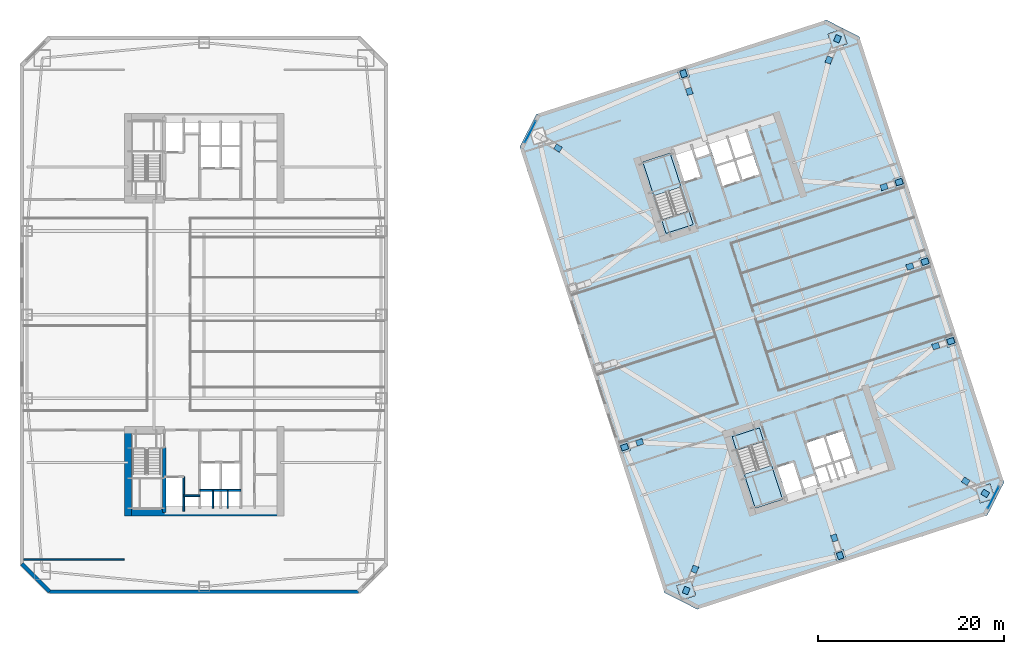
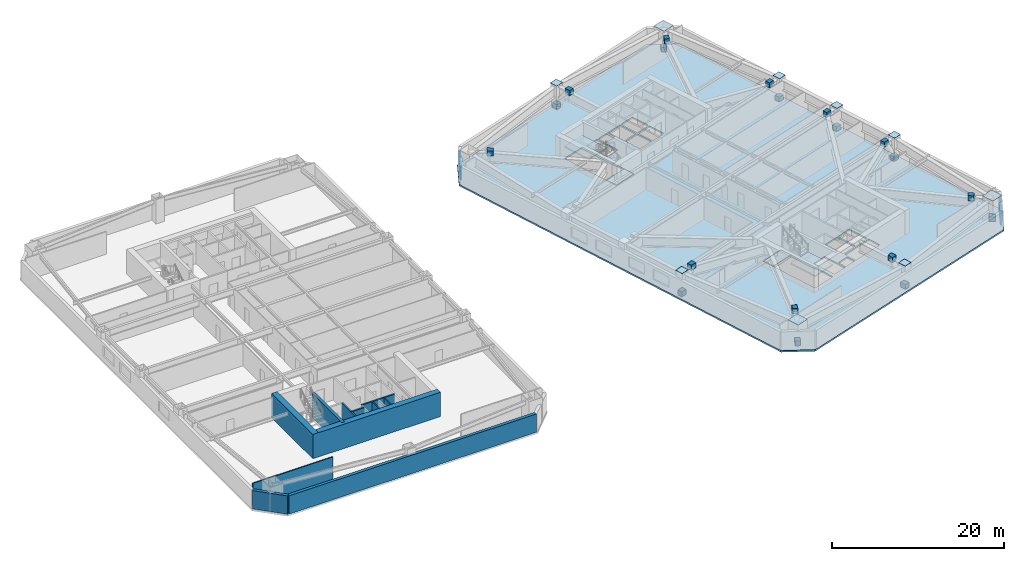
# One storey, part 10 of 18: 32 plates, 11 walls, 5 slabs, 4 elements without a shape of their own.
"""IFC4 building model written with IfcOpenShell, lengths in metres."""

from ifc_helpers import new_model, si_unit, direction, frame, frame_2d, origin, origin_2d, place, context, subcontext, project, spatial, polyline, rectangle, outline, extrude, material, layer, layer_set, type_object, element, aggregate, save


model = new_model("IFC4")

# Units and contexts
model_context = context("Model", 3, precision=1e-05, world=origin(), true_north=direction((0.0, 1.0)))
body_context = subcontext(model_context, "Body", "Model", "MODEL_VIEW")
ifc_project = project(units=[si_unit("LENGTHUNIT", "METRE"), si_unit("AREAUNIT", "SQUARE_METRE"), si_unit("VOLUMEUNIT", "CUBIC_METRE"), si_unit("PLANEANGLEUNIT", "RADIAN"), si_unit("MASSUNIT", "GRAM", prefix="KILO")], contexts=[model_context])

# Site, building, storey
site_placement = place(None, origin())
site = spatial("IfcSite", under=ifc_project, at=site_placement, CompositionType="ELEMENT")
building_placement = place(site_placement, origin())
building = spatial("IfcBuilding", under=site, at=building_placement, Name="Qiaolan Cultural Towers", CompositionType="ELEMENT")
storey_placement = place(building_placement, frame((0.0, 0.0, 74.75)))
storey = spatial("IfcBuildingStorey", under=building, at=storey_placement, Name="L18", CompositionType="ELEMENT", Elevation=74.75)

# Curtain wall, plates
ifc_material_1 = material(Name="Unitized Anodized Aluminium Curtain Wall System", Category="aluminium")
ifc_layer_1 = layer(ifc_material_1, 0.199951171875)
ifc_layer_set_1 = layer_set([ifc_layer_1], Name="Unitized Anodized Aluminium Curtain Wall System")
curtain_wall_type = type_object("IfcCurtainWallType", Name="CWS-02", PredefinedType="NOTDEFINED", material=ifc_layer_set_1)
curtain_wall_1_placement = place(storey_placement, origin())
curtain_wall_1 = element("IfcCurtainWall", 1, at=curtain_wall_1_placement, inside=storey, type_object=curtain_wall_type, Name="L18 T2 Chamfer Wind-Corner Feature Curtain Wall 1", PredefinedType="NOTDEFINED")
ifc_material_2 = material(Name="Laminated Low-E Insulating Glass Unit", Category="glass")
ifc_layer_2 = layer(ifc_material_2, 0.035888671875)
ifc_layer_set_2 = layer_set([ifc_layer_2], Name="Laminated Low-E Insulating Glass Unit")
plate_type_1 = type_object("IfcPlateType", Name="CWS-02-PNL", PredefinedType="CURTAIN_PANEL", material=ifc_layer_set_2)
plate_1_placement = place(storey_placement, frame((65.103271484375, 53.669189453125, 0.215087890625), z_axis=(0.0, 0.0, 1.0), x_axis=(0.45399042074, 0.89100656444, 0.0)))
plate_1 = element("IfcPlate", 2, at=plate_1_placement, type_object=plate_type_1, Name="CW-2 panel 1.1", PredefinedType="CURTAIN_PANEL", context=body_context, shape_type="SweptSolid", body=[
    extrude(rectangle(XDim=2.542724609375, YDim=0.035888671875, at=origin_2d()), origin(), (0.0, 0.0, 1.0), 1.00244140625),
])
plate_2_placement = place(storey_placement, frame((65.103271484375, 53.669189453125, 1.282470703125), z_axis=(0.0, 0.0, 1.0), x_axis=(0.45399042074, 0.89100656444, 0.0)))
plate_2 = element("IfcPlate", 3, at=plate_2_placement, type_object=plate_type_1, Name="CW-2 panel 1.2", PredefinedType="CURTAIN_PANEL", context=body_context, shape_type="SweptSolid", body=[
    extrude(rectangle(XDim=2.542724609375, YDim=0.035888671875, at=origin_2d()), origin(), (0.0, 0.0, 1.0), 1.16259765625),
])
aggregate(curtain_wall_1, [plate_1, plate_2])

curtain_wall_2_placement = place(storey_placement, origin())
curtain_wall_2 = element("IfcCurtainWall", 4, at=curtain_wall_2_placement, inside=storey, type_object=curtain_wall_type, Name="L18 T2 Chamfer Wind-Corner Feature Curtain Wall 2", PredefinedType="NOTDEFINED")
plate_3_placement = place(storey_placement, frame((114.896728515625, 14.330810546875, 0.215087890625), z_axis=(0.0, 0.0, 1.0), x_axis=(-0.45399042074, -0.89100656444, 0.0)))
plate_3 = element("IfcPlate", 5, at=plate_3_placement, type_object=plate_type_1, Name="CW-2 panel 1.1", PredefinedType="CURTAIN_PANEL", context=body_context, shape_type="SweptSolid", body=[
    extrude(rectangle(XDim=2.542724609375, YDim=0.035888671875, at=origin_2d()), origin(), (0.0, 0.0, 1.0), 1.00244140625),
])
plate_4_placement = place(storey_placement, frame((114.896728515625, 14.330810546875, 1.282470703125), z_axis=(0.0, 0.0, 1.0), x_axis=(-0.45399042074, -0.89100656444, 0.0)))
plate_4 = element("IfcPlate", 6, at=plate_4_placement, type_object=plate_type_1, Name="CW-2 panel 1.2", PredefinedType="CURTAIN_PANEL", context=body_context, shape_type="SweptSolid", body=[
    extrude(rectangle(XDim=2.542724609375, YDim=0.035888671875, at=origin_2d()), origin(), (0.0, 0.0, 1.0), 1.16259765625),
])
aggregate(curtain_wall_2, [plate_3, plate_4])

# Plates
ifc_material_3 = material(Name="Steel Q355B", Category="steel")
ifc_layer_3 = layer(ifc_material_3, 0.035888671875)
ifc_layer_set_3 = layer_set([ifc_layer_3], Name="Steel Q355B")
plate_type_2 = type_object("IfcPlateType", Name="PL-CONN-36", PredefinedType="USERDEFINED", material=ifc_layer_set_3)
for number, where, z_axis, x_axis, name in (
    (7, (81.862548828125, 4.32275390625, -0.06982421875), (0.0, 0.0, 1.0), (0.375786036166, 0.926706455693, 0.0), "L18 Brace End Connection Gusset Plate GP-02-0052"),
    (8, (82.79052734375, 6.611572265625, 2.85986328125), (0.0, 0.0, 1.0), (0.375786036166, 0.926706455693, 0.0), "L18 Brace End Connection Gusset Plate GP-02-0053"),
    (9, (114.027099609375, 14.77392578125, -0.06982421875), (0.0, 0.0, 1.0), (-0.848721520458, 0.528840033197, 0.0), "L18 Brace End Connection Gusset Plate GP-02-0054"),
    (10, (111.930908203125, 16.080078125, 2.85986328125), (0.0, 0.0, 1.0), (-0.848721520458, 0.528840033197, 0.0), "L18 Brace End Connection Gusset Plate GP-02-0055"),
    (11, (98.137451171875, 63.67724609375, -0.06982421875), (0.0, 0.0, 1.0), (0.375786036166, 0.926706455693, 0.0), "L18 Brace End Connection Gusset Plate GP-02-0056"),
    (12, (97.20947265625, 61.388427734375, 2.85986328125), (0.0, 0.0, 1.0), (0.375786036166, 0.926706455693, 0.0), "L18 Brace End Connection Gusset Plate GP-02-0057"),
    (13, (68.069091796875, 51.919921875, 2.85986328125), (0.0, 0.0, 1.0), (-0.848721520458, 0.528840033197, 0.0), "L18 Brace End Connection Gusset Plate GP-02-0059"),
    (14, (75.234130859375, 19.739013671875, -0.06982421875), (0.0, 0.0, 1.0), (0.951056494722, 0.309017060771, 0.0), "L18 Brace End Connection Gusset Plate GP-02-0060"),
    (15, (76.85107421875, 20.264404296875, 2.85986328125), (0.0, 0.0, 1.0), (0.951056494722, 0.309017060771, 0.0), "L18 Brace End Connection Gusset Plate GP-02-0061"),
    (16, (110.328125, 31.141845703125, -0.06982421875), (0.0, 0.0, 1.0), (0.951056494722, 0.309017060771, 0.0), "L18 Brace End Connection Gusset Plate GP-02-0066"),
    (17, (108.71142578125, 30.616455078125, 2.85986328125), (0.0, 0.0, 1.0), (0.951056494722, 0.309017060771, 0.0), "L18 Brace End Connection Gusset Plate GP-02-0067"),
    (18, (107.546875, 39.701416015625, -0.06982421875), (0.0, 0.0, 1.0), (0.951056494722, 0.309017060771, 0.0), "L18 Brace End Connection Gusset Plate GP-02-0068"),
    (19, (105.93017578125, 39.176025390625, 2.85986328125), (0.0, 0.0, 1.0), (0.951056494722, 0.309017060771, 0.0), "L18 Brace End Connection Gusset Plate GP-02-0069"),
    (20, (104.765869140625, 48.260986328125, -0.06982421875), (0.0, 0.0, 1.0), (0.951056494722, 0.309017060771, 0.0), "L18 Brace End Connection Gusset Plate GP-02-0070"),
    (21, (103.14892578125, 47.735595703125, 2.85986328125), (0.0, 0.0, 1.0), (0.951056494722, 0.309017060771, 0.0), "L18 Brace End Connection Gusset Plate GP-02-0071"),
    (22, (98.420654296875, 8.083740234375, -0.06982421875), (0.0, 0.0, 1.0), (-0.309017010974, 0.951056510902, 0.0), "L18 Brace End Connection Gusset Plate GP-02-0072"),
    (23, (97.802734375, 9.98583984375, 2.85986328125), (0.0, 0.0, 1.0), (-0.309017010974, 0.951056510902, 0.0), "L18 Brace End Connection Gusset Plate GP-02-0073"),
    (24, (81.579345703125, 59.916259765625, -0.06982421875), (0.0, 0.0, 1.0), (-0.309017010974, 0.951056510902, 0.0), "L18 Brace End Connection Gusset Plate GP-02-0074"),
    (25, (82.197265625, 58.01416015625, 2.85986328125), (0.0, 0.0, 1.0), (-0.309017010974, 0.951056510902, 0.0), "L18 Brace End Connection Gusset Plate GP-02-0075"),
):
    element("IfcPlate", number, at=place(storey_placement, frame(where, z_axis=z_axis, x_axis=x_axis)), inside=storey, type_object=plate_type_2, Name=name, ObjectType="GUSSET_PLATE", PredefinedType="USERDEFINED", context=body_context, shape_type="SweptSolid", body=[
        extrude(rectangle(XDim=0.739990234375, YDim=0.6201171875, at=origin_2d()), origin(), (0.0, 0.0, 1.0), 0.739990234375),
    ])
ifc_material_4 = material(Name="Steel Q355B", Category="steel")
ifc_layer_4 = layer(ifc_material_4, 0.030029296875)
ifc_layer_set_4 = layer_set([ifc_layer_4], Name="Steel Q355B")
plate_type_3 = type_object("IfcPlateType", Name="PL-ENDCAP-30", PredefinedType="USERDEFINED", material=ifc_layer_set_4)
for number, where, z_axis, x_axis, name in (
    (26, (81.862548828125, 4.32275390625, 3.451171875), (0.0, 0.0, 1.0), (0.951056516295, 0.309016994375, 0.0), "Tower Box Column Transition Seal Cap Plate CP-01"),
    (27, (114.027099609375, 14.77392578125, 3.451171875), (0.0, 0.0, 1.0), (0.951056516295, 0.309016994375, 0.0), "Tower Box Column Transition Seal Cap Plate CP-01"),
    (28, (98.137451171875, 63.67724609375, 3.451171875), (0.0, 0.0, 1.0), (0.951056516295, 0.309016994375, 0.0), "Tower Box Column Transition Seal Cap Plate CP-01"),
):
    element("IfcPlate", number, at=place(storey_placement, frame(where, z_axis=z_axis, x_axis=x_axis)), inside=storey, type_object=plate_type_3, Name=name, ObjectType="BASE_PLATE", PredefinedType="USERDEFINED", context=body_context, shape_type="SweptSolid", body=[
        extrude(rectangle(XDim=1.639892578125, YDim=1.639892578125, at=origin_2d()), origin(), (0.0, 0.0, 1.0), 0.030029296875),
    ])
for number, where, z_axis, x_axis, name in (
    (29, (75.234130859375, 19.739013671875, 3.451171875), (0.0, 0.0, 1.0), (0.951056516295, 0.309016994375, 0.0), "Tower Box Column Transition Seal Cap Plate CP-01"),
    (30, (110.328125, 31.141845703125, 3.451171875), (0.0, 0.0, 1.0), (0.951056516295, 0.309016994375, 0.0), "Tower Box Column Transition Seal Cap Plate CP-01"),
    (31, (107.546875, 39.701416015625, 3.451171875), (0.0, 0.0, 1.0), (0.951056516295, 0.309016994375, 0.0), "Tower Box Column Transition Seal Cap Plate CP-01"),
    (32, (104.765869140625, 48.260986328125, 3.451171875), (0.0, 0.0, 1.0), (0.951056516295, 0.309016994375, 0.0), "Tower Box Column Transition Seal Cap Plate CP-01"),
    (33, (98.420654296875, 8.083740234375, 3.451171875), (0.0, 0.0, 1.0), (0.951056516295, 0.309016994375, 0.0), "Tower Box Column Transition Seal Cap Plate CP-01"),
    (34, (81.579345703125, 59.916259765625, 3.451171875), (0.0, 0.0, 1.0), (0.951056516295, 0.309016994375, 0.0), "Tower Box Column Transition Seal Cap Plate CP-01"),
):
    element("IfcPlate", number, at=place(storey_placement, frame(where, z_axis=z_axis, x_axis=x_axis)), inside=storey, type_object=plate_type_3, Name=name, ObjectType="BASE_PLATE", PredefinedType="USERDEFINED", context=body_context, shape_type="SweptSolid", body=[
        extrude(rectangle(XDim=1.0400390625, YDim=1.0400390625, at=origin_2d()), origin(), (0.0, 0.0, 1.0), 0.030029296875),
    ])

# Stair, slab
ifc_material_5 = material(Name="Concrete C45", Category="concrete")
stair_type = type_object("IfcStairType", Name="STR-CORE-1500", PredefinedType="HALF_TURN_STAIR", material=ifc_material_5)
stair_1_placement = place(storey_placement, origin())
stair_1 = element("IfcStair", 35, at=stair_1_placement, inside=storey, type_object=stair_type, Name="L18 Smokeproof Exit Stair ST-E1", PredefinedType="HALF_TURN_STAIR")
ifc_material_6 = material(Name="Concrete C45", Category="concrete")
ifc_layer_5 = layer(ifc_material_6, 0.199951171875)
ifc_layer_set_5 = layer_set([ifc_layer_5], Name="Concrete C45")
slab_type_1 = type_object("IfcSlabType", Name="SL-STAIR-LAND", PredefinedType="LANDING", material=ifc_layer_set_5)
slab_1_placement = place(storey_placement, frame((0.0, 0.0, 1.52490234375)))
slab_1 = element("IfcSlab", 36, at=slab_1_placement, type_object=slab_type_1, Name="ST-E1 landing 1", PredefinedType="LANDING", context=body_context, shape_type="SweptSolid", body=[
    extrude(outline(polyline([(88.114013671875, 16.828125), (89.30419921875, 13.165283203125), (92.2333984375, 14.116943359375), (91.04345703125, 17.77978515625), (88.114013671875, 16.828125)])), origin(), (0.0, 0.0, 1.0), 0.2001953125),
])
aggregate(stair_1, [slab_1])

stair_2_placement = place(storey_placement, origin())
stair_2 = element("IfcStair", 37, at=stair_2_placement, inside=storey, type_object=stair_type, Name="L18 Smokeproof Exit Stair ST-E2", PredefinedType="HALF_TURN_STAIR")
slab_2_placement = place(storey_placement, frame((0.0, 0.0, 1.52490234375)))
slab_2 = element("IfcSlab", 38, at=slab_2_placement, type_object=slab_type_1, Name="ST-E2 landing 1", PredefinedType="LANDING", context=body_context, shape_type="SweptSolid", body=[
    extrude(outline(polyline([(81.31005859375, 47.735595703125), (80.1201171875, 51.3984375), (77.190673828125, 50.44677734375), (78.380859375, 46.783935546875), (81.31005859375, 47.735595703125)])), origin(), (0.0, 0.0, 1.0), 0.2001953125),
])
aggregate(stair_2, [slab_2])

# Slabs
ifc_material_7 = material(Name="Concrete C40", Category="concrete")
ifc_layer_6 = layer(ifc_material_7, 0.360107421875)
ifc_layer_set_6 = layer_set([ifc_layer_6], Name="Concrete C40")
slab_type_2 = type_object("IfcSlabType", Name="SL-STFLR-360", PredefinedType="LANDING", material=ifc_layer_set_6)
slab_3_placement = place(storey_placement, frame((0.0, 0.0, -0.360107421875)))
element("IfcSlab", 39, at=slab_3_placement, inside=storey, type_object=slab_type_2, Name="L18 ST-E1 Stair Floor Landing Slab", PredefinedType="LANDING", context=body_context, shape_type="SweptSolid", body=[
    extrude(outline(polyline([(86.8037109375, 20.867431640625), (87.282470703125, 19.39404296875), (90.2080078125, 20.3447265625), (89.729248046875, 21.818115234375), (86.8037109375, 20.867431640625)])), origin(), (0.0, 0.0, 1.0), 0.360107421875),
])
slab_4_placement = place(storey_placement, frame((0.0, 0.0, -0.360107421875)))
element("IfcSlab", 40, at=slab_4_placement, inside=storey, type_object=slab_type_2, Name="L18 ST-E2 Stair Floor Landing Slab", PredefinedType="LANDING", context=body_context, shape_type="SweptSolid", body=[
    extrude(outline(polyline([(82.62060546875, 43.6962890625), (82.141845703125, 45.169677734375), (79.21630859375, 44.21923828125), (79.695068359375, 42.74560546875), (82.62060546875, 43.6962890625)])), origin(), (0.0, 0.0, 1.0), 0.360107421875),
])
ifc_material_8 = material(Name="Concrete C45", Category="concrete")
ifc_layer_7 = layer(ifc_material_8, 0.219970703125)
ifc_layer_set_7 = layer_set([ifc_layer_7], Name="Concrete C45")
slab_type_3 = type_object("IfcSlabType", Name="SL-TYP-220", PredefinedType="FLOOR", material=ifc_layer_set_7)
slab_5_placement = place(storey_placement, frame((0.0, 0.0, -0.219970703125)))
element("IfcSlab", 41, at=slab_5_placement, inside=storey, type_object=slab_type_3, Name="L18 East Tower Floor Slab", PredefinedType="FLOOR", context=body_context, shape_type="SweptSolid", body=[
    extrude(outline(polyline([(83.05517578125, 2.302490234375), (114.249755859375, 12.438232421875), (116.047607421875, 15.966552734375), (100.47314453125, 63.899658203125), (96.94482421875, 65.697509765625), (65.750244140625, 55.561767578125), (63.952392578125, 52.033447265625), (79.52685546875, 4.100341796875), (83.05517578125, 2.302490234375)]), holes=[polyline([(86.80126953125, 20.868896484375), (89.30419921875, 13.165283203125), (92.2333984375, 14.116943359375), (89.73046875, 21.820556640625), (86.80126953125, 20.868896484375)]), polyline([(82.623046875, 43.69482421875), (80.1201171875, 51.3984375), (77.190673828125, 50.44677734375), (79.69384765625, 42.7431640625), (82.623046875, 43.69482421875)]), polyline([(92.666259765625, 14.468017578125), (94.42578125, 15.03955078125), (93.42138671875, 18.130615234375), (91.661865234375, 17.558837890625), (92.666259765625, 14.468017578125)]), polyline([(94.5908203125, 15.14599609375), (96.027099609375, 15.612548828125), (95.66552734375, 16.725341796875), (94.2294921875, 16.258544921875), (94.5908203125, 15.14599609375)]), polyline([(95.643310546875, 17.5380859375), (97.54541015625, 18.15625), (96.68017578125, 20.819091796875), (94.77783203125, 20.201171875), (95.643310546875, 17.5380859375)]), polyline([(97.735595703125, 18.218017578125), (99.58056640625, 18.8173828125), (98.71533203125, 21.48046875), (96.870361328125, 20.880859375), (97.735595703125, 18.218017578125)]), polyline([(96.245849609375, 15.68359375), (100.18310546875, 16.962890625), (99.6484375, 18.608154296875), (95.711181640625, 17.328857421875), (96.245849609375, 15.68359375)]), polyline([(81.6806640625, 48.278076171875), (83.440185546875, 48.849609375), (82.435791015625, 51.940673828125), (80.67626953125, 51.368896484375), (81.6806640625, 48.278076171875)]), polyline([(82.993408203125, 50.839111328125), (84.4296875, 51.3056640625), (84.068115234375, 52.41845703125), (82.632080078125, 51.95166015625), (82.993408203125, 50.839111328125)]), polyline([(85.810302734375, 47.80078125), (87.71240234375, 48.418701171875), (87.013916015625, 50.568115234375), (85.11181640625, 49.9501953125), (85.810302734375, 47.80078125)]), polyline([(87.902587890625, 48.480712890625), (89.74755859375, 49.080078125), (89.04931640625, 51.2294921875), (87.2041015625, 50.6298828125), (87.902587890625, 48.480712890625)]), polyline([(85.05322265625, 50.130859375), (86.936279296875, 50.74267578125), (86.169921875, 53.101318359375), (84.286865234375, 52.489501953125), (85.05322265625, 50.130859375)]), polyline([(87.1455078125, 50.810791015625), (88.990478515625, 51.41015625), (88.22412109375, 53.768798828125), (86.379150390625, 53.169189453125), (87.1455078125, 50.810791015625)])]), origin(), (0.0, 0.0, 1.0), 0.219970703125),
])

# Walls
ifc_material_9 = material(Name="Concrete C50", Category="concrete")
ifc_layer_8 = layer(ifc_material_9, 0.35009765625)
ifc_layer_set_8 = layer_set([ifc_layer_8], Name="Concrete C50")
wall_type_1 = type_object("IfcWallType", Name="WL-CORE-350", PredefinedType="SHEAR", material=ifc_layer_set_8)
wall_1_placement = place(storey_placement, frame((25.719970703125, 19.699951171875, 0.0), z_axis=(0.0, 0.0, 1.0), x_axis=(0.0, -1.0, 0.0)))
element("IfcWall", 42, at=wall_1_placement, inside=storey, type_object=wall_type_1, Name="L18 T1-CS Stair Core Dividing Web", PredefinedType="SHEAR", context=body_context, shape_type="SweptSolid", body=[
    extrude(rectangle(XDim=6.97998046875, YDim=0.35009765625, at=frame_2d((3.489990234375, 0.0))), origin(), (0.0, 0.0, 1.0), 3.449951171875),
])
ifc_material_10 = material(Name="Concrete C60", Category="concrete")
ifc_layer_9 = layer(ifc_material_10, 0.75)
ifc_layer_set_9 = layer_set([ifc_layer_9], Name="Concrete C60")
wall_type_2 = type_object("IfcWallType", Name="WL-CORE-750", PredefinedType="SHEAR", material=ifc_layer_set_9)
wall_2_placement = place(storey_placement, frame((21.425048828125, 12.719970703125, 0.0), z_axis=(0.0, 0.0, 1.0), x_axis=(1.0, 0.0, 0.0)))
element("IfcWall", 43, at=wall_2_placement, inside=storey, type_object=wall_type_2, Name="L18 T1-CS Outer Core Shear Wall", PredefinedType="SHEAR", context=body_context, shape_type="SweptSolid", body=[
    extrude(rectangle(XDim=17.14990234375, YDim=0.75, at=frame_2d((8.574951171875, 0.0))), origin(), (0.0, 0.0, 1.0), 3.449951171875),
])
wall_3_placement = place(storey_placement, frame((21.800048828125, 21.97509765625, 0.0), z_axis=(0.0, 0.0, 1.0), x_axis=(0.0, -1.0, 0.0)))
element("IfcWall", 44, at=wall_3_placement, inside=storey, type_object=wall_type_2, Name="L18 T1-CS West Core Shear Wall", PredefinedType="SHEAR", context=body_context, shape_type="SweptSolid", body=[
    extrude(rectangle(XDim=9.630126953125, YDim=0.75, at=frame_2d((4.81494140625, 0.0))), origin(), (0.0, 0.0, 1.0), 3.449951171875),
])
ifc_material_11 = material(Name="Precast Concrete C50 Honed Stone Pier", Category="masonry")
ifc_layer_10 = layer(ifc_material_11, 0.39990234375)
ifc_layer_set_10 = layer_set([ifc_layer_10], Name="Precast Concrete C50 Honed Stone Pier")
wall_type_3 = type_object("IfcWallType", Name="WL-EXT-PIER-400", PredefinedType="SOLIDWALL", material=ifc_layer_set_10)
wall_4_placement = place(storey_placement, frame((46.60009765625, 4.199951171875, 0.0), z_axis=(0.0, 0.0, 1.0), x_axis=(-1.0, 0.0, 0.0)))
element("IfcWall", 45, at=wall_4_placement, inside=storey, type_object=wall_type_3, Name="L18 West Tower Precast Pier Facade Wall F7", PredefinedType="SOLIDWALL", context=body_context, shape_type="SweptSolid", body=[
    extrude(rectangle(XDim=33.2001953125, YDim=0.39990234375, at=frame_2d((16.60009765625, 0.0))), origin(), (0.0, 0.0, 1.0), 2.610107421875),
])
wall_5_placement = place(storey_placement, frame((13.39990234375, 4.199951171875, 0.0), z_axis=(0.0, 0.0, 1.0), x_axis=(-0.707106781187, 0.707106781187, 0.0)))
element("IfcWall", 46, at=wall_5_placement, inside=storey, type_object=wall_type_3, Name="L18 West Tower Precast Pier Facade Wall F8", PredefinedType="SOLIDWALL", context=body_context, shape_type="SweptSolid", body=[
    extrude(rectangle(XDim=4.24267578125, YDim=0.39990234375, at=frame_2d((2.121337890625, 0.0))), origin(), (0.0, 0.0, 1.0), 2.610107421875),
])
ifc_material_12 = material(Name="Concrete C35 Fire Wall", Category="concrete")
ifc_layer_11 = layer(ifc_material_12, 0.199951171875)
ifc_layer_set_11 = layer_set([ifc_layer_11], Name="Concrete C35 Fire Wall")
wall_type_4 = type_object("IfcWallType", Name="WL-FIRE-200", PredefinedType="PARTITIONING", material=ifc_layer_set_11)
wall_6_placement = place(storey_placement, frame((27.820068359375, 16.550048828125, 0.0), z_axis=(0.0, 0.0, 1.0), x_axis=(0.0, -1.0, 0.0)))
element("IfcWall", 47, at=wall_6_placement, inside=storey, type_object=wall_type_4, Name="L18 T1-CS Firefighting Hoistway East Wall", PredefinedType="PARTITIONING", context=body_context, shape_type="SweptSolid", body=[
    extrude(rectangle(XDim=3.699951171875, YDim=0.199951171875, at=frame_2d((1.85009765625, 0.0))), origin(), (0.0, 0.0, 1.0), 3.175048828125),
])
wall_7_placement = place(storey_placement, frame((27.820068359375, 14.52001953125, 0.0), z_axis=(0.0, 0.0, 1.0), x_axis=(1.0, 0.0, 0.0)))
element("IfcWall", 48, at=wall_7_placement, inside=storey, type_object=wall_type_4, Name="L18 T1-CS Pressurization Shaft Front Wall", PredefinedType="PARTITIONING", context=body_context, shape_type="SweptSolid", body=[
    extrude(rectangle(XDim=1.72998046875, YDim=0.199951171875, at=frame_2d((0.864990234375, 0.0))), origin(), (0.0, 0.0, 1.0), 3.175048828125),
])
wall_8_placement = place(storey_placement, frame((29.550048828125, 15.10009765625, 0.0), z_axis=(0.0, 0.0, 1.0), x_axis=(1.0, 0.0, 0.0)))
element("IfcWall", 49, at=wall_8_placement, inside=storey, type_object=wall_type_4, Name="L18 T1-CS Passenger Lift Shaft Back Wall", PredefinedType="PARTITIONING", context=body_context, shape_type="SweptSolid", body=[
    extrude(rectangle(XDim=4.39990234375, YDim=0.199951171875, at=frame_2d((2.199951171875, 0.0))), origin(), (0.0, 0.0, 1.0), 3.175048828125),
])
ifc_material_13 = material(Name="Autoclaved Aerated Concrete Block B06", Category="concrete")
ifc_layer_12 = layer(ifc_material_13, 0.14990234375)
ifc_layer_set_12 = layer_set([ifc_layer_12], Name="Autoclaved Aerated Concrete Block B06")
wall_type_5 = type_object("IfcWallType", Name="WL-PART-150", PredefinedType="PARTITIONING", material=ifc_layer_set_12)
for number, where, z_axis, x_axis, name in (
    (50, (30.949951171875, 15.050048828125, 0.0), (0.0, 0.0, 1.0), (0.0, -1.0, 0.0), "L18 T1-CS Core Rear Split 1"),
    (51, (32.550048828125, 15.050048828125, 0.0), (0.0, 0.0, 1.0), (0.0, -1.0, 0.0), "L18 T1-CS Core Rear Split 2"),
):
    element("IfcWall", number, at=place(storey_placement, frame(where, z_axis=z_axis, x_axis=x_axis)), inside=storey, type_object=wall_type_5, Name=name, PredefinedType="PARTITIONING", context=body_context, shape_type="SweptSolid", body=[
        extrude(rectangle(XDim=1.880126953125, YDim=0.14990234375, at=frame_2d((0.93994140625, 0.0))), origin(), (0.0, 0.0, 1.0), 3.175048828125),
    ])
wall_9_placement = place(storey_placement, frame((10.60009765625, 7.64990234375, 0.0), z_axis=(0.0, 0.0, 1.0), x_axis=(1.0, 0.0, 0.0)))
element("IfcWall", 52, at=wall_9_placement, inside=storey, type_object=wall_type_5, Name="L18 T1 Flank Wall FLK-SW", PredefinedType="PARTITIONING", context=body_context, shape_type="SweptSolid", body=[
    extrude(rectangle(XDim=10.7998046875, YDim=0.14990234375, at=frame_2d((5.39990234375, 0.0))), origin(), (0.0, 0.0, 1.0), 3.175048828125),
])

save(model, "model.ifc")
